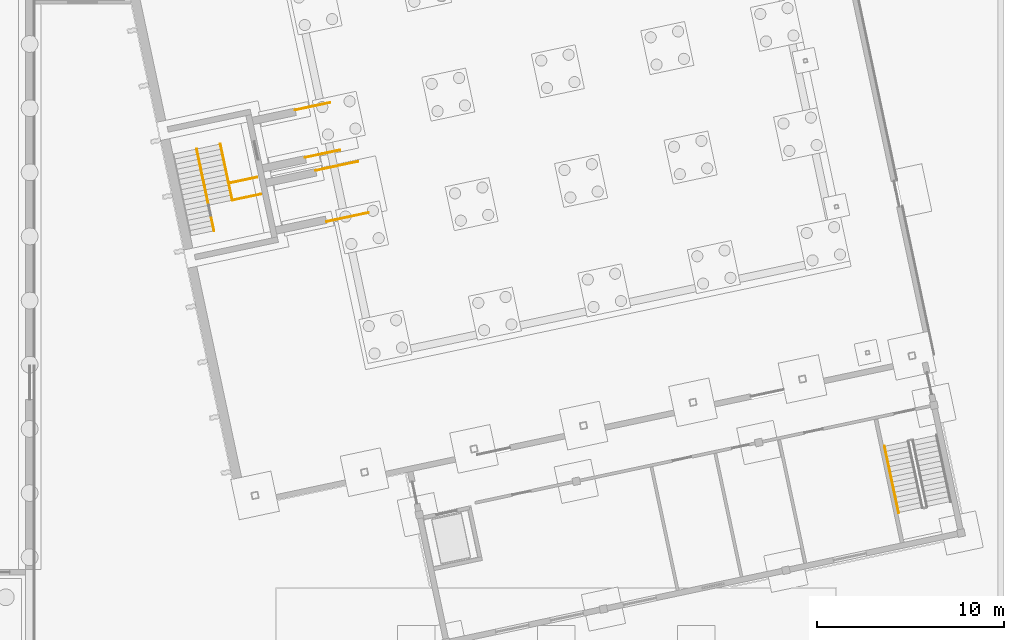
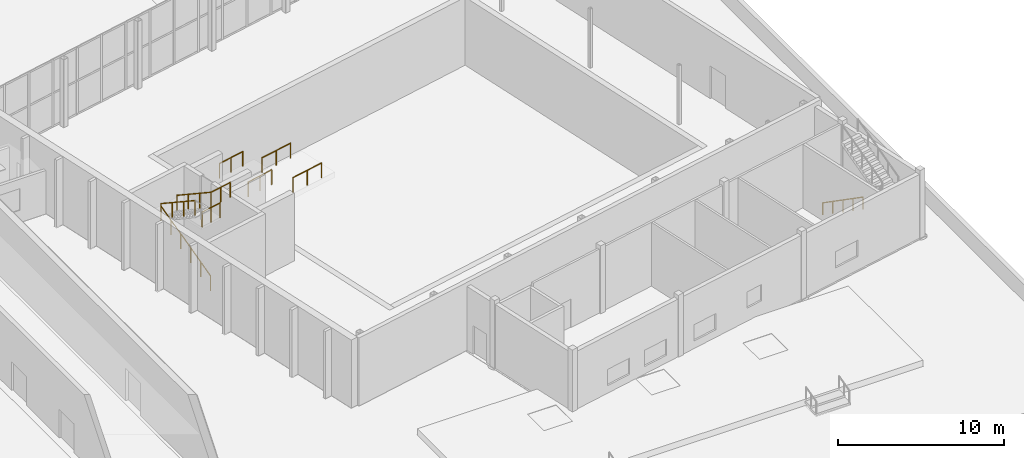
# One storey, part 147 of 157: 10 railings.
"""IFC4 building model written with IfcOpenShell, lengths in metres."""

from ifc_helpers import new_model, si_unit, direction, frame, origin, origin_2d, place, context, subcontext, project, spatial, circle, extrude, material, type_object, element, save


model = new_model("IFC4")

# Units and contexts
model_context = context("Model", 3, precision=1e-05, world=origin(), true_north=direction((0.0, 1.0)))
body_context = subcontext(model_context, "Body", "Model", "MODEL_VIEW")
ifc_project = project(units=[si_unit("LENGTHUNIT", "METRE"), si_unit("AREAUNIT", "SQUARE_METRE"), si_unit("VOLUMEUNIT", "CUBIC_METRE"), si_unit("PLANEANGLEUNIT", "RADIAN"), si_unit("MASSUNIT", "GRAM", prefix="KILO")], contexts=[model_context])

# Site, building, storey
site_placement = place(None, origin())
site = spatial("IfcSite", under=ifc_project, at=site_placement, CompositionType="ELEMENT")
building_placement = place(site_placement, origin())
building = spatial("IfcBuilding", under=site, at=building_placement, Name="Windward Yard Aquatics Centre", CompositionType="ELEMENT")
storey_placement = place(building_placement, origin())
storey = spatial("IfcBuildingStorey", under=building, at=storey_placement, Name="L00", CompositionType="ELEMENT", Elevation=0.0)

# Railings
ifc_material = material(Name="Stainless steel 1.4529", Category="steel")
railing_type_1 = type_object("IfcRailingType", Name="D Annex stair stair handrail", PredefinedType="HANDRAIL", material=ifc_material)
railing_1_placement = place(storey_placement, frame((197.59716796875, 44.593994140625, 0.178466796875)))
element("IfcRailing", 1, at=railing_1_placement, inside=storey, type_object=railing_type_1, Name="L00 D-ST1 stair handrail 1", PredefinedType="HANDRAIL", context=body_context, shape_type="SweptSolid", body=[
    extrude(circle(Radius=0.02392578125, at=origin_2d()), frame((0.0, 0.0, 0.8759765625), z_axis=(0.175307802642, -0.82468183417, 0.537742546878), x_axis=(0.978143676638, 0.20793015138, 0.0)), (0.0, 0.0, 1.0), 4.317138671875),
    extrude(circle(Radius=0.02099609375, at=origin_2d()), origin(), (0.0, 0.0, 1.0), 0.851806640625),
    extrude(circle(Radius=0.02099609375, at=origin_2d()), frame((0.189208984375, -0.89013671875, 0.580322265625)), (0.0, 0.0, 1.0), 0.851806640625),
    extrude(circle(Radius=0.02099609375, at=origin_2d()), frame((0.37841796875, -1.7802734375, 1.16064453125)), (0.0, 0.0, 1.0), 0.851806640625),
    extrude(circle(Radius=0.02099609375, at=origin_2d()), frame((0.567626953125, -2.670166015625, 1.7412109375)), (0.0, 0.0, 1.0), 0.851806640625),
    extrude(circle(Radius=0.02099609375, at=origin_2d()), frame((0.7568359375, -3.560302734375, 2.321533203125)), (0.0, 0.0, 1.0), 0.851806640625),
])
railing_type_2 = type_object("IfcRailingType", Name="D platform guard 1100", PredefinedType="GUARDRAIL", material=ifc_material)
railing_2_placement = place(storey_placement, frame((166.549560546875, 60.077392578125, 3.0)))
element("IfcRailing", 2, at=railing_2_placement, inside=storey, type_object=railing_type_2, Name="D.R.PG1A", PredefinedType="GUARDRAIL", context=body_context, shape_type="SweptSolid", body=[
    extrude(circle(Radius=0.02392578125, at=origin_2d()), frame((0.0, 0.0, 1.076171875), z_axis=(0.978147092378, 0.207914082431, 0.0), x_axis=(-0.207914082431, 0.978147092378, 0.0)), (0.0, 0.0, 1.0), 1.89990234375),
    extrude(circle(Radius=0.02099609375, at=origin_2d()), origin(), (0.0, 0.0, 1.0), 1.052001953125),
    extrude(circle(Radius=0.02099609375, at=origin_2d()), frame((0.92919921875, 0.197509765625, 0.0)), (0.0, 0.0, 1.0), 1.052001953125),
    extrude(circle(Radius=0.02099609375, at=origin_2d()), frame((1.8583984375, 0.39501953125, 0.0)), (0.0, 0.0, 1.0), 1.052001953125),
])
railing_3_placement = place(storey_placement, frame((166.009033203125, 62.62060546875, 3.0)))
element("IfcRailing", 3, at=railing_3_placement, inside=storey, type_object=railing_type_2, Name="D.R.PG1B", PredefinedType="GUARDRAIL", context=body_context, shape_type="SweptSolid", body=[
    extrude(circle(Radius=0.02392578125, at=origin_2d()), frame((0.0, 0.0, 1.076171875), z_axis=(0.978173218601, 0.207791131697, 0.0), x_axis=(-0.207791131697, 0.978173218601, 0.0)), (0.0, 0.0, 1.0), 1.89990234375),
    extrude(circle(Radius=0.02099609375, at=origin_2d()), origin(), (0.0, 0.0, 1.0), 1.052001953125),
    extrude(circle(Radius=0.02099609375, at=origin_2d()), frame((0.92919921875, 0.197265625, 0.0)), (0.0, 0.0, 1.0), 1.052001953125),
    extrude(circle(Radius=0.02099609375, at=origin_2d()), frame((1.8583984375, 0.394775390625, 0.0)), (0.0, 0.0, 1.0), 1.052001953125),
])
railing_4_placement = place(storey_placement, frame((167.689208984375, 56.63916015625, 5.0)))
element("IfcRailing", 4, at=railing_4_placement, inside=storey, type_object=railing_type_2, Name="D.R.PG2A", PredefinedType="GUARDRAIL", context=body_context, shape_type="SweptSolid", body=[
    extrude(circle(Radius=0.02392578125, at=origin_2d()), frame((0.0, 0.0, 1.076171875), z_axis=(0.978162897375, 0.207839712757, 0.0), x_axis=(-0.207839712757, 0.978162897375, 0.0)), (0.0, 0.0, 1.0), 2.300048828125),
    extrude(circle(Radius=0.02099609375, at=origin_2d()), origin(), (0.0, 0.0, 1.0), 1.052001953125),
    extrude(circle(Radius=0.02099609375, at=origin_2d()), frame((1.125, 0.239013671875, 0.0)), (0.0, 0.0, 1.0), 1.052001953125),
    extrude(circle(Radius=0.02099609375, at=origin_2d()), frame((2.249755859375, 0.47802734375, 0.0)), (0.0, 0.0, 1.0), 1.052001953125),
])
railing_5_placement = place(storey_placement, frame((167.107177734375, 59.3779296875, 5.0)))
element("IfcRailing", 5, at=railing_5_placement, inside=storey, type_object=railing_type_2, Name="D.R.PG2B", PredefinedType="GUARDRAIL", context=body_context, shape_type="SweptSolid", body=[
    extrude(circle(Radius=0.02392578125, at=origin_2d()), frame((0.0, 0.0, 1.076171875), z_axis=(0.978141312374, 0.207941273027, 0.0), x_axis=(-0.207941273027, 0.978141312374, 0.0)), (0.0, 0.0, 1.0), 2.300048828125),
    extrude(circle(Radius=0.02099609375, at=origin_2d()), origin(), (0.0, 0.0, 1.0), 1.052001953125),
    extrude(circle(Radius=0.02099609375, at=origin_2d()), frame((1.125, 0.2392578125, 0.0)), (0.0, 0.0, 1.0), 1.052001953125),
    extrude(circle(Radius=0.02099609375, at=origin_2d()), frame((2.249755859375, 0.478271484375, 0.0)), (0.0, 0.0, 1.0), 1.052001953125),
])
railing_type_3 = type_object("IfcRailingType", Name="D tower stair guard", PredefinedType="GUARDRAIL", material=ifc_material)
railing_6_placement = place(storey_placement, frame((161.660400390625, 56.144775390625, 0.176513671875)))
element("IfcRailing", 6, at=railing_6_placement, inside=storey, type_object=railing_type_3, Name="D.R.TW1.G1", PredefinedType="GUARDRAIL", context=body_context, shape_type="SweptSolid", body=[
    extrude(circle(Radius=0.02392578125, at=origin_2d()), frame((0.0, 0.0, 1.076171875), z_axis=(-0.175884897919, 0.827511935191, 0.533187115186), x_axis=(-0.97814957038, -0.207902424146, 0.0)), (0.0, 0.0, 1.0), 5.29541015625),
    extrude(circle(Radius=0.02099609375, at=origin_2d()), origin(), (0.0, 0.0, 1.0), 1.052001953125),
    extrude(circle(Radius=0.02099609375, at=origin_2d()), frame((-0.186279296875, 0.87646484375, 0.564697265625)), (0.0, 0.0, 1.0), 1.052001953125),
    extrude(circle(Radius=0.02099609375, at=origin_2d()), frame((-0.37255859375, 1.7529296875, 1.12939453125)), (0.0, 0.0, 1.0), 1.052001953125),
    extrude(circle(Radius=0.02099609375, at=origin_2d()), frame((-0.558837890625, 2.629150390625, 1.694091796875)), (0.0, 0.0, 1.0), 1.052001953125),
    extrude(circle(Radius=0.02099609375, at=origin_2d()), frame((-0.7451171875, 3.505615234375, 2.2587890625)), (0.0, 0.0, 1.0), 1.052001953125),
    extrude(circle(Radius=0.02099609375, at=origin_2d()), frame((-0.931396484375, 4.382080078125, 2.823486328125)), (0.0, 0.0, 1.0), 1.052001953125),
])
railing_7_placement = place(storey_placement, frame((160.72900390625, 60.52685546875, 3.166748046875)))
element("IfcRailing", 7, at=railing_7_placement, inside=storey, type_object=railing_type_3, Name="D.R.TW2.G1", PredefinedType="GUARDRAIL", context=body_context, shape_type="SweptSolid", body=[
    extrude(circle(Radius=0.02392578125, at=origin_2d()), frame((0.0, 0.0, 1.076171875), z_axis=(0.178596612082, -0.840534779976, 0.511472906227), x_axis=(0.978162879887, 0.207839795062, 0.0)), (0.0, 0.0, 1.0), 3.584228515625),
    extrude(circle(Radius=0.02099609375, at=origin_2d()), origin(), (0.0, 0.0, 1.0), 1.052001953125),
    extrude(circle(Radius=0.02099609375, at=origin_2d()), frame((0.21337890625, -1.004150390625, 0.611083984375)), (0.0, 0.0, 1.0), 1.052001953125),
    extrude(circle(Radius=0.02099609375, at=origin_2d()), frame((0.4267578125, -2.008544921875, 1.22216796875)), (0.0, 0.0, 1.0), 1.052001953125),
    extrude(circle(Radius=0.02099609375, at=origin_2d()), frame((0.64013671875, -3.0126953125, 1.833251953125)), (0.0, 0.0, 1.0), 1.052001953125),
])
railing_8_placement = place(storey_placement, frame((162.00048828125, 60.797119140625, 3.166748046875)))
element("IfcRailing", 8, at=railing_8_placement, inside=storey, type_object=railing_type_3, Name="D.R.TW2.G2", PredefinedType="GUARDRAIL", context=body_context, shape_type="SweptSolid", body=[
    extrude(circle(Radius=0.02392578125, at=origin_2d()), frame((0.0, 0.0, 1.076171875), z_axis=(0.178662552893, -0.840524553068, 0.511466683062), x_axis=(0.978146762005, 0.207915636689, 0.0)), (0.0, 0.0, 1.0), 3.584228515625),
    extrude(circle(Radius=0.02099609375, at=origin_2d()), origin(), (0.0, 0.0, 1.0), 1.052001953125),
    extrude(circle(Radius=0.02099609375, at=origin_2d()), frame((0.21337890625, -1.004150390625, 0.611083984375)), (0.0, 0.0, 1.0), 1.052001953125),
    extrude(circle(Radius=0.02099609375, at=origin_2d()), frame((0.427001953125, -2.008544921875, 1.22216796875)), (0.0, 0.0, 1.0), 1.052001953125),
    extrude(circle(Radius=0.02099609375, at=origin_2d()), frame((0.640380859375, -3.0126953125, 1.833251953125)), (0.0, 0.0, 1.0), 1.052001953125),
])
railing_9_placement = place(storey_placement, frame((162.54541015625, 58.715087890625, 3.0)))
element("IfcRailing", 9, at=railing_9_placement, inside=storey, type_object=railing_type_3, Name="D.R.TW.N3.1", PredefinedType="GUARDRAIL", context=body_context, shape_type="SweptSolid", body=[
    extrude(circle(Radius=0.02392578125, at=origin_2d()), frame((0.0, 0.0, 1.076171875), z_axis=(0.978138732977, 0.207953405961, 0.0), x_axis=(-0.207953405961, 0.978138732977, 0.0)), (0.0, 0.0, 1.0), 1.449951171875),
    extrude(circle(Radius=0.02099609375, at=origin_2d()), origin(), (0.0, 0.0, 1.0), 1.052001953125),
    extrude(circle(Radius=0.02099609375, at=origin_2d()), frame((0.708984375, 0.15087890625, 0.0)), (0.0, 0.0, 1.0), 1.052001953125),
    extrude(circle(Radius=0.02099609375, at=origin_2d()), frame((1.418212890625, 0.301513671875, 0.0)), (0.0, 0.0, 1.0), 1.052001953125),
])
railing_10_placement = place(storey_placement, frame((162.640869140625, 57.784423828125, 5.0)))
element("IfcRailing", 10, at=railing_10_placement, inside=storey, type_object=railing_type_3, Name="D.R.TW.S5.1", PredefinedType="GUARDRAIL", context=body_context, shape_type="SweptSolid", body=[
    extrude(circle(Radius=0.02392578125, at=origin_2d()), frame((0.0, 0.0, 1.076171875), z_axis=(0.978146839882, 0.207915270313, 0.0), x_axis=(-0.207915270313, 0.978146839882, 0.0)), (0.0, 0.0, 1.0), 1.550048828125),
    extrude(circle(Radius=0.02099609375, at=origin_2d()), origin(), (0.0, 0.0, 1.0), 1.052001953125),
    extrude(circle(Radius=0.02099609375, at=origin_2d()), frame((0.758056640625, 0.1611328125, 0.0)), (0.0, 0.0, 1.0), 1.052001953125),
    extrude(circle(Radius=0.02099609375, at=origin_2d()), frame((1.51611328125, 0.322265625, 0.0)), (0.0, 0.0, 1.0), 1.052001953125),
])

save(model, "model.ifc")
